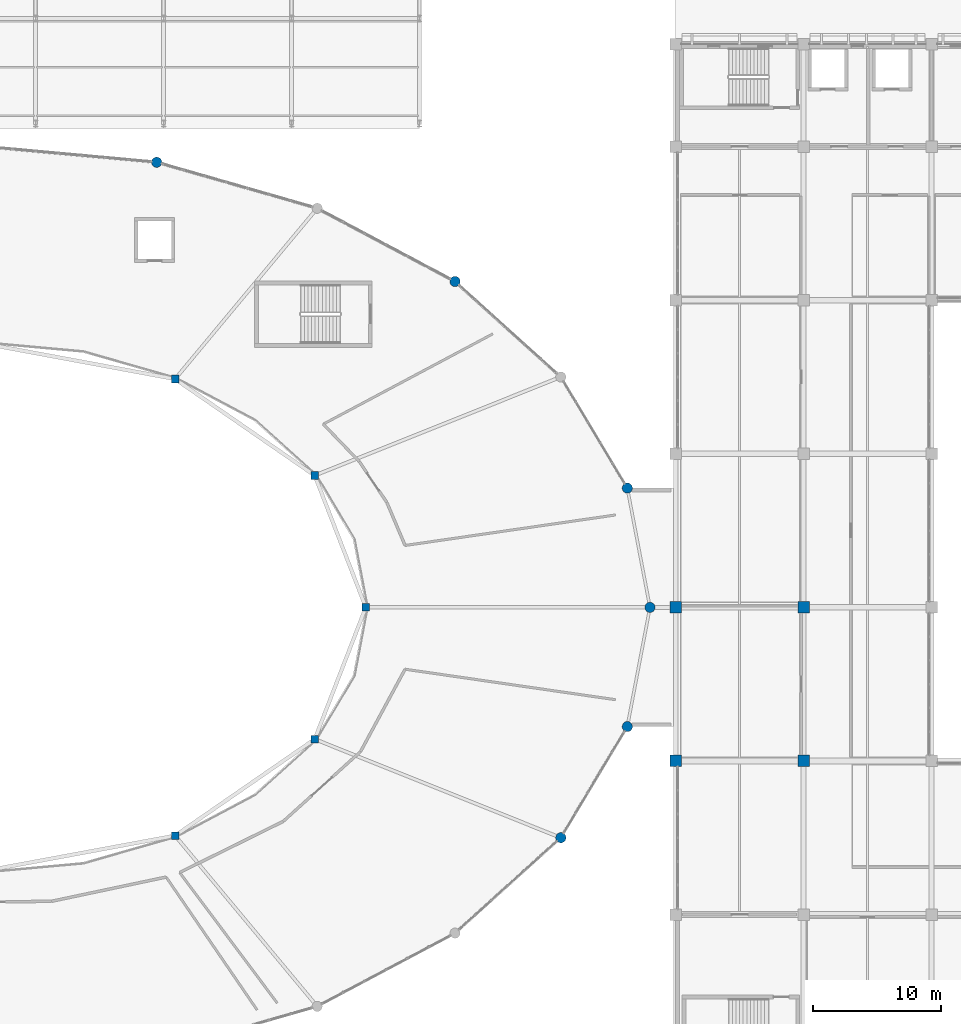
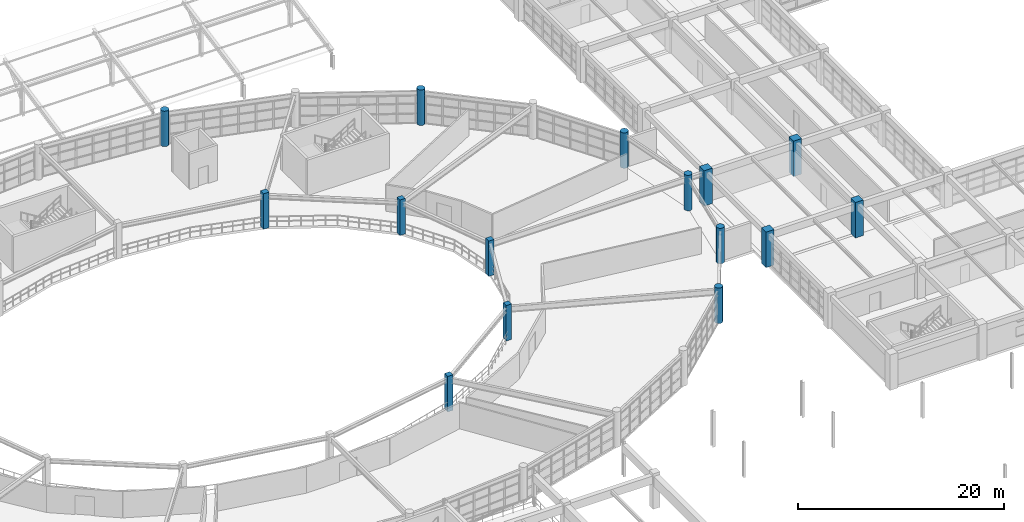
# One storey, part 12 of 100: 15 columns.
"""IFC4 building model written with IfcOpenShell, lengths in metres."""

from ifc_helpers import new_model, si_unit, direction, frame, origin, origin_2d, place, context, subcontext, project, spatial, rectangle, circle, extrude, material, material_profile, profile_set, type_object, element, save


model = new_model("IFC4")

# Units and contexts
model_context = context("Model", 3, precision=1e-05, world=origin(), true_north=direction((0.0, 1.0)))
body_context = subcontext(model_context, "Body", "Model", "MODEL_VIEW")
ifc_project = project(units=[si_unit("LENGTHUNIT", "METRE"), si_unit("AREAUNIT", "SQUARE_METRE"), si_unit("VOLUMEUNIT", "CUBIC_METRE"), si_unit("PLANEANGLEUNIT", "RADIAN"), si_unit("MASSUNIT", "GRAM", prefix="KILO")], contexts=[model_context])

# Site, building, storey
site_placement = place(None, origin())
site = spatial("IfcSite", under=ifc_project, at=site_placement, CompositionType="ELEMENT")
building_placement = place(site_placement, origin())
building = spatial("IfcBuilding", under=site, at=building_placement, Name="Kivolera Central Railway Station", CompositionType="ELEMENT")
storey_placement = place(building_placement, frame((0.0, 0.0, 5.39990234375)))
storey = spatial("IfcBuildingStorey", under=building, at=storey_placement, Name="L01", CompositionType="ELEMENT", Elevation=5.39990234375)

# Columns
ifc_material = material(Name="Concrete C40/50", Category="concrete")
ifc_material_profile_1 = material_profile(ifc_material, rectangle(XDim=0.60009765625, YDim=0.60009765625, at=origin_2d()), Name="RC 600x600")
ifc_profile_set_1 = profile_set([ifc_material_profile_1], Name="Concrete C40/50")
column_type_1 = type_object("IfcColumnType", Name="COL-RC-600", PredefinedType="COLUMN", material=ifc_profile_set_1)
for number, where, z_axis, x_axis, name in (
    (1, (93.800048828125, 90.0, 0.0), (0.0, 0.0, 1.0), (1.0, 0.0, 0.0), "L01 Oval Gallery Column I01"),
    (2, (89.80810546875, 100.300048828125, 0.0), (0.0, 0.0, 1.0), (1.0, 0.0, 0.0), "L01 Oval Gallery Column I02"),
    (3, (78.89990234375, 107.840087890625, 0.0), (0.0, 0.0, 1.0), (1.0, 0.0, 0.0), "L01 Oval Gallery Column I03"),
    (4, (78.89990234375, 72.159912109375, 0.0), (0.0, 0.0, 1.0), (1.0, 0.0, 0.0), "L01 Oval Gallery Column I11"),
    (5, (89.80810546875, 79.699951171875, 0.0), (0.0, 0.0, 1.0), (1.0, 0.0, 0.0), "L01 Oval Gallery Column I12"),
):
    element("IfcColumn", number, at=place(storey_placement, frame(where, z_axis=z_axis, x_axis=x_axis)), inside=storey, type_object=column_type_1, Name=name, PredefinedType="COLUMN", context=body_context, shape_type="SweptSolid", body=[
        extrude(rectangle(XDim=0.60009765625, YDim=0.60009765625, at=origin_2d()), origin(), (0.0, 0.0, 1.0), 4.2001953125),
    ])
ifc_material_profile_2 = material_profile(ifc_material, rectangle(XDim=0.89990234375, YDim=0.89990234375, at=origin_2d()), Name="RC 900x900")
ifc_profile_set_2 = profile_set([ifc_material_profile_2], Name="Concrete C40/50")
column_type_2 = type_object("IfcColumnType", Name="COL-RC-900", PredefinedType="COLUMN", material=ifc_profile_set_2)
for number, where, z_axis, x_axis, name in (
    (6, (118.0, 78.0, 0.0), (0.0, 0.0, 1.0), (1.0, 0.0, 0.0), "L01 Wing Column 12-G"),
    (7, (118.0, 90.0, 0.0), (0.0, 0.0, 1.0), (1.0, 0.0, 0.0), "L01 Wing Column 12-H"),
    (8, (128.0, 78.0, 0.0), (0.0, 0.0, 1.0), (1.0, 0.0, 0.0), "L01 Wing Column 13-G"),
    (9, (128.0, 90.0, 0.0), (0.0, 0.0, 1.0), (1.0, 0.0, 0.0), "L01 Wing Column 13-H"),
):
    element("IfcColumn", number, at=place(storey_placement, frame(where, z_axis=z_axis, x_axis=x_axis)), inside=storey, type_object=column_type_2, Name=name, PredefinedType="COLUMN", context=body_context, shape_type="SweptSolid", body=[
        extrude(rectangle(XDim=0.89990234375, YDim=0.89990234375, at=origin_2d()), origin(), (0.0, 0.0, 1.0), 4.2001953125),
    ])
ifc_material_profile_3 = material_profile(ifc_material, circle(Radius=0.39990234375, at=origin_2d()), Name="RC D800")
ifc_profile_set_3 = profile_set([ifc_material_profile_3], Name="Concrete C40/50")
column_type_3 = type_object("IfcColumnType", Name="COL-RC-D800", PredefinedType="COLUMN", material=ifc_profile_set_3)
for number, where, z_axis, x_axis, name in (
    (10, (116.0, 90.0, 0.0), (0.0, 0.0, 1.0), (1.0, 0.0, 0.0), "L01 Oval Drum Perimeter Column P01"),
    (11, (114.22802734375, 99.31689453125, 0.0), (0.0, 0.0, 1.0), (1.0, 0.0, 0.0), "L01 Oval Drum Perimeter Column P02"),
    (12, (100.77001953125, 115.4560546875, 0.0), (0.0, 0.0, 1.0), (1.0, 0.0, 0.0), "L01 Oval Drum Perimeter Column P04"),
    (13, (77.458984375, 124.77294921875, 0.0), (0.0, 0.0, 1.0), (1.0, 0.0, 0.0), "L01 Oval Drum Perimeter Column P06"),
    (14, (109.032958984375, 72.0, 0.0), (0.0, 0.0, 1.0), (1.0, 0.0, 0.0), "L01 Oval Drum Perimeter Column P23"),
    (15, (114.22802734375, 80.68310546875, 0.0), (0.0, 0.0, 1.0), (1.0, 0.0, 0.0), "L01 Oval Drum Perimeter Column P24"),
):
    element("IfcColumn", number, at=place(storey_placement, frame(where, z_axis=z_axis, x_axis=x_axis)), inside=storey, type_object=column_type_3, Name=name, PredefinedType="COLUMN", context=body_context, shape_type="SweptSolid", body=[
        extrude(circle(Radius=0.39990234375, at=origin_2d()), origin(), (0.0, 0.0, 1.0), 4.2001953125),
    ])

save(model, "model.ifc")
